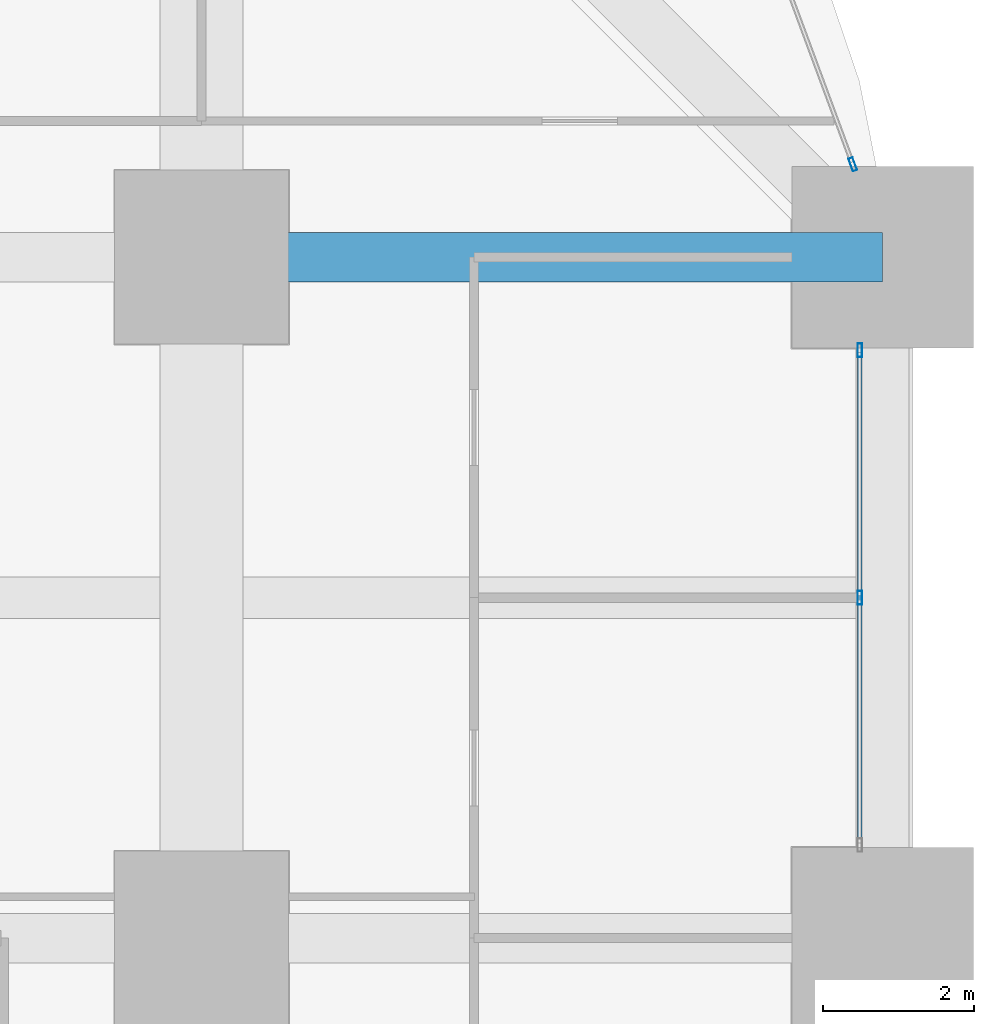
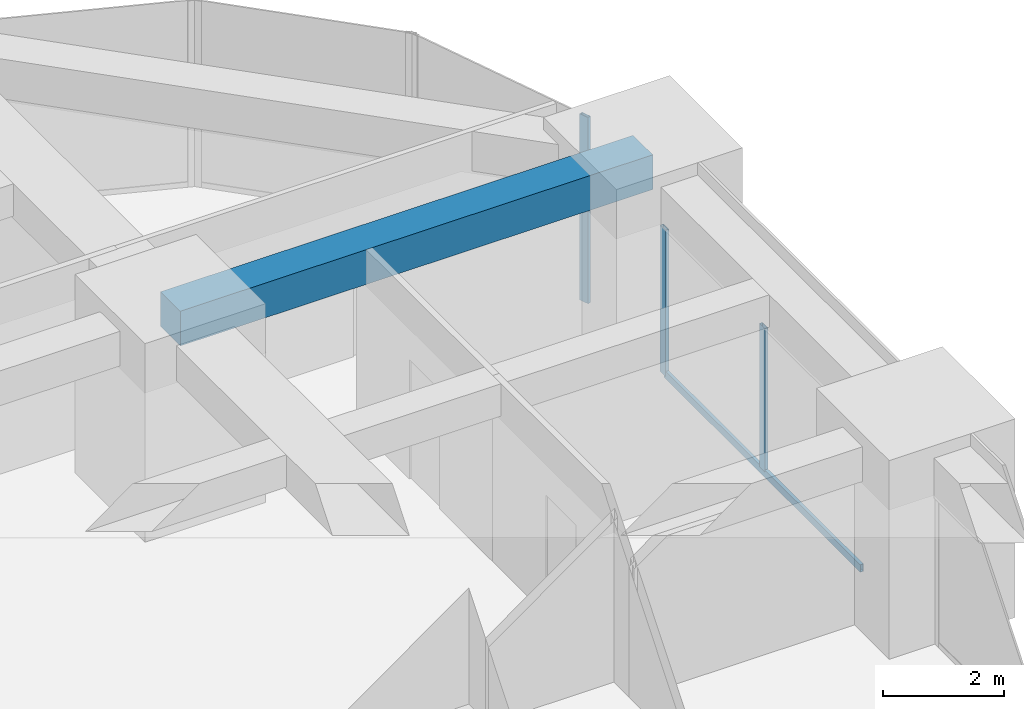
# One storey, part 34 of 45: 4 members, 1 beam, 2 elements without a shape of their own.
"""IFC4 building model written with IfcOpenShell, lengths in metres."""

from ifc_helpers import new_model, si_unit, direction, frame, origin, origin_2d, place, context, subcontext, project, spatial, rectangle, hollow_rectangle, extrude, material, material_profile, profile_set, type_object, element, aggregate, save


model = new_model("IFC4")

# Units and contexts
model_context = context("Model", 3, precision=1e-05, world=origin(), true_north=direction((0.0, 1.0)))
body_context = subcontext(model_context, "Body", "Model", "MODEL_VIEW")
ifc_project = project(units=[si_unit("LENGTHUNIT", "METRE"), si_unit("AREAUNIT", "SQUARE_METRE"), si_unit("VOLUMEUNIT", "CUBIC_METRE"), si_unit("PLANEANGLEUNIT", "RADIAN"), si_unit("MASSUNIT", "GRAM", prefix="KILO")], contexts=[model_context])

# Site, building, storey
site_placement = place(None, origin())
site = spatial("IfcSite", under=ifc_project, at=site_placement, CompositionType="ELEMENT")
building_placement = place(site_placement, origin())
building = spatial("IfcBuilding", under=site, at=building_placement, Name="Zorevar Civic Tower", CompositionType="ELEMENT")
storey_placement = place(building_placement, frame((0.0, 0.0, 27.800048828125)))
storey = spatial("IfcBuildingStorey", under=building, at=storey_placement, Name="L06", CompositionType="ELEMENT", Elevation=27.800048828125)

# Beam
ifc_material_1 = material(Name="Concrete C50/60", Category="concrete")
ifc_material_profile_1 = material_profile(ifc_material_1, rectangle(XDim=0.64990234375, YDim=0.699951171875, at=origin_2d()), Name="RC 650x700")
ifc_profile_set_1 = profile_set([ifc_material_profile_1], Name="Concrete C50/60")
beam_type = type_object("IfcBeamType", Name="Beam RC 650x700", PredefinedType="BEAM", material=ifc_profile_set_1)
beam_placement = place(storey_placement, frame((54.0, 45.0, 3.39990234375), z_axis=(1.0, 0.0, 0.0), x_axis=(0.0, 1.0, 0.0)))
element("IfcBeam", 1, at=beam_placement, inside=storey, type_object=beam_type, Name="Girder L07", PredefinedType="BEAM", context=body_context, shape_type="SweptSolid", body=[
    extrude(rectangle(XDim=0.64990234375, YDim=0.699951171875, at=origin_2d()), origin(), (0.0, 0.0, 1.0), 9.0),
])

# Curtain wall, members
ifc_material_2 = material(Name="Dark grey solar-control glass in black aluminium frame", Category="aluminium")
curtain_wall_type = type_object("IfcCurtainWallType", Name="Curtain wall CW2 low zone", PredefinedType="NOTDEFINED", material=ifc_material_2)
curtain_wall_1_placement = place(storey_placement, origin())
curtain_wall_1 = element("IfcCurtainWall", 2, at=curtain_wall_1_placement, inside=storey, type_object=curtain_wall_type, Name="CW2 L06", PredefinedType="NOTDEFINED")
ifc_material_3 = material(Name="Aluminium, black anodised", Category="aluminium")
ifc_material_profile_2 = material_profile(ifc_material_3, hollow_rectangle(XDim=0.06005859375, YDim=0.179931640625, WallThickness=0.00390625, at=origin_2d()), Name="AL 180x60x4")
ifc_profile_set_2 = profile_set([ifc_material_profile_2], Name="Aluminium, black anodised")
member_type_1 = type_object("IfcMemberType", Name="CW2 mullion AL 180x60x4", PredefinedType="MULLION", material=ifc_profile_set_2)
member_1_placement = place(storey_placement, frame((62.699951171875, 40.5, 0.06005859375), z_axis=(0.0, 0.0, 1.0), x_axis=(-1.0, 0.0, 0.0)))
member_1 = element("IfcMember", 3, at=member_1_placement, type_object=member_type_1, Name="CW2 mullion 2", PredefinedType="MULLION", context=body_context, shape_type="SweptSolid", body=[
    extrude(hollow_rectangle(XDim=0.06005859375, YDim=0.179931640625, WallThickness=0.00390625, at=origin_2d()), origin(), (0.0, 0.0, 1.0), 2.889892578125),
])
member_2_placement = place(storey_placement, frame((62.699951171875, 43.77001953125, 0.0), z_axis=(0.0, 0.0, 1.0), x_axis=(-1.0, 0.0, 0.0)))
member_2 = element("IfcMember", 4, at=member_2_placement, type_object=member_type_1, Name="CW2 mullion 3", PredefinedType="MULLION", context=body_context, shape_type="SweptSolid", body=[
    extrude(hollow_rectangle(XDim=0.06005859375, YDim=0.179931640625, WallThickness=0.00390625, at=origin_2d()), origin(), (0.0, 0.0, 1.0), 2.949951171875),
])

# Curtain wall, member
curtain_wall_2_placement = place(storey_placement, origin())
curtain_wall_2 = element("IfcCurtainWall", 5, at=curtain_wall_2_placement, inside=storey, type_object=curtain_wall_type, Name="CW2 L06", PredefinedType="NOTDEFINED")
member_3_placement = place(storey_placement, frame((62.6064453125, 46.22802734375, 0.0), z_axis=(0.0, 0.0, 1.0), x_axis=(-0.937974588163, -0.346704012033, 0.0)))
member_3 = element("IfcMember", 6, at=member_3_placement, type_object=member_type_1, Name="CW2 mullion 1", PredefinedType="MULLION", context=body_context, shape_type="SweptSolid", body=[
    extrude(hollow_rectangle(XDim=0.06005859375, YDim=0.179931640625, WallThickness=0.00390625, at=origin_2d()), origin(), (0.0, 0.0, 1.0), 3.75),
])
aggregate(curtain_wall_2, [member_3])

# Member
ifc_material_4 = material(Name="Aluminium, black anodised", Category="aluminium")
ifc_material_profile_3 = material_profile(ifc_material_4, hollow_rectangle(XDim=0.06005859375, YDim=0.14990234375, WallThickness=0.00390625, at=origin_2d()), Name="AL 150x60x4")
ifc_profile_set_3 = profile_set([ifc_material_profile_3], Name="Aluminium, black anodised")
member_type_2 = type_object("IfcMemberType", Name="CW2 transom AL 150x60x4", PredefinedType="USERDEFINED", material=ifc_profile_set_3)
member_4_placement = place(storey_placement, frame((62.699951171875, 37.260009765625, 0.030029296875), z_axis=(0.0, 1.0, 0.0), x_axis=(-1.0, 0.0, 0.0)))
member_4 = element("IfcMember", 7, at=member_4_placement, type_object=member_type_2, Name="CW2 sill transom", ObjectType="TRANSOM", PredefinedType="USERDEFINED", context=body_context, shape_type="SweptSolid", body=[
    extrude(hollow_rectangle(XDim=0.06005859375, YDim=0.14990234375, WallThickness=0.00390625, at=origin_2d()), origin(), (0.0, 0.0, 1.0), 6.47998046875),
])

aggregate(curtain_wall_1, [member_1, member_2, member_4])

save(model, "model.ifc")
